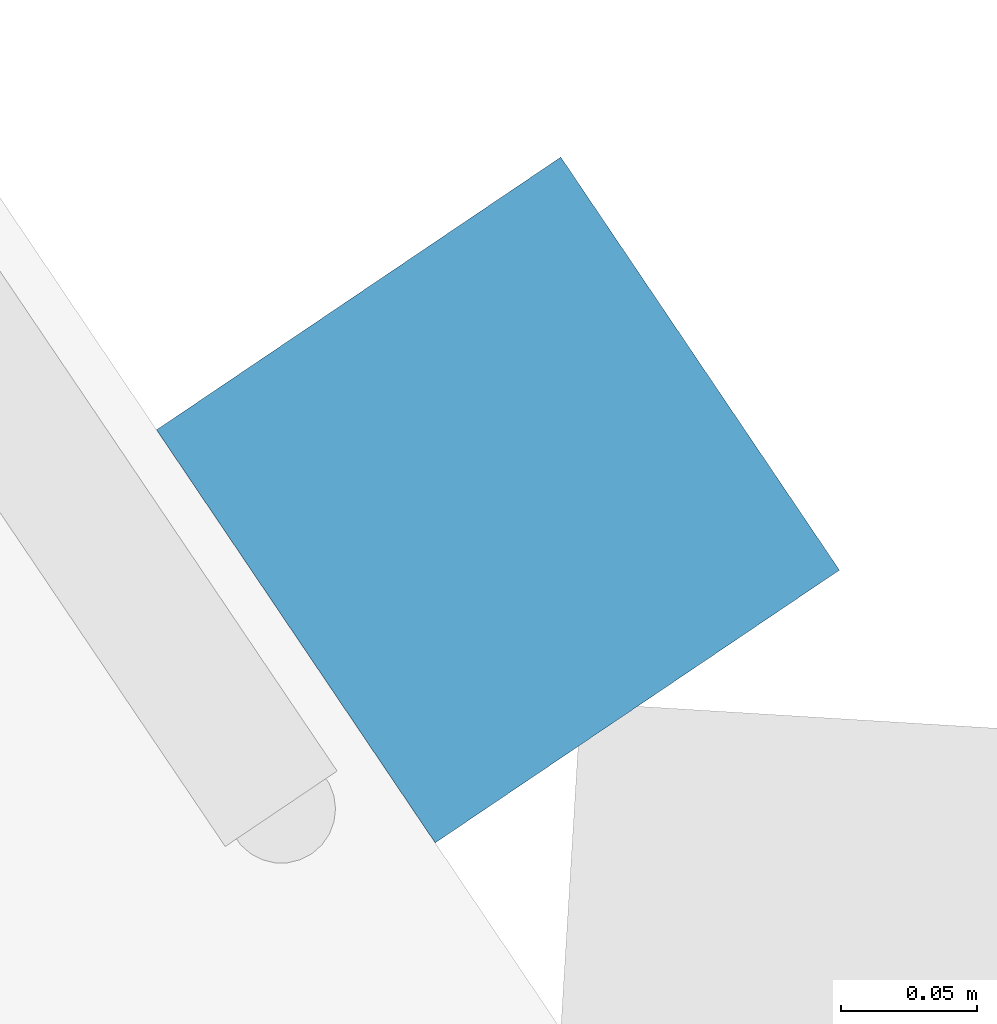
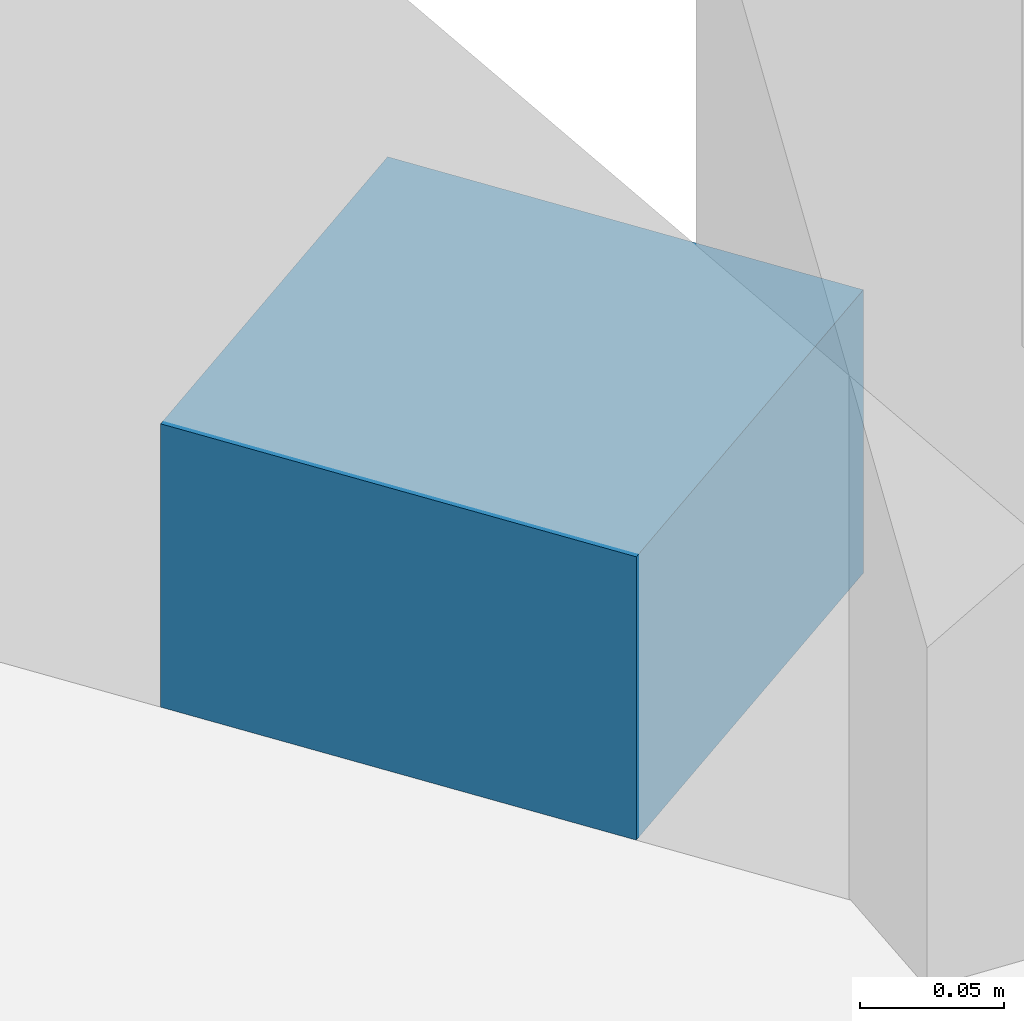
# One storey, part 15 of 34: 1 member, 1 element without a shape of its own.
"""IFC4 building model written with IfcOpenShell, lengths in metres."""

from ifc_helpers import new_model, si_unit, direction, frame, origin, origin_2d, place, context, subcontext, project, spatial, rectangle, extrude, material, material_profile, profile_set, type_object, element, aggregate, save


model = new_model("IFC4")

# Units and contexts
model_context = context("Model", 3, precision=1e-05, world=origin(), true_north=direction((0.0, 1.0)))
body_context = subcontext(model_context, "Body", "Model", "MODEL_VIEW")
ifc_project = project(units=[si_unit("LENGTHUNIT", "METRE"), si_unit("AREAUNIT", "SQUARE_METRE"), si_unit("VOLUMEUNIT", "CUBIC_METRE"), si_unit("PLANEANGLEUNIT", "RADIAN"), si_unit("MASSUNIT", "GRAM", prefix="KILO")], contexts=[model_context])

# Site, building, storey
site_placement = place(None, origin())
site = spatial("IfcSite", under=ifc_project, at=site_placement, CompositionType="ELEMENT")
building_placement = place(site_placement, origin())
building = spatial("IfcBuilding", under=site, at=building_placement, Name="Orlundy Tower", CompositionType="ELEMENT")
storey_placement = place(building_placement, frame((0.0, 0.0, 145.60009765625)))
storey = spatial("IfcBuildingStorey", under=building, at=storey_placement, Name="L37", CompositionType="ELEMENT", Elevation=145.60009765625)

# Curtain wall, member
ifc_material_1 = material(Name="Aluminium bronze anodised", Category="aluminium")
curtain_wall_type = type_object("IfcCurtainWallType", Name="CW1 wall", PredefinedType="NOTDEFINED", material=ifc_material_1)
curtain_wall_placement = place(storey_placement, origin())
curtain_wall = element("IfcCurtainWall", 1, at=curtain_wall_placement, inside=storey, type_object=curtain_wall_type, Name="CW1 run 017", PredefinedType="NOTDEFINED")
ifc_material_2 = material(Name="Aluminium bronze anodised", Category="aluminium")
ifc_material_profile = material_profile(ifc_material_2, rectangle(XDim=0.179931640625, YDim=0.1201171875, at=origin_2d()), Name="CW1 transom 180x120")
ifc_profile_set = profile_set([ifc_material_profile], Name="Aluminium bronze anodised")
member_type = type_object("IfcMemberType", Name="CW1 transom 180x120", PredefinedType="USERDEFINED", material=ifc_profile_set)
member_placement = place(storey_placement, frame((23.530517578125, 18.924560546875, -0.340087890625), z_axis=(0.559290310831, -0.828971862134, 0.0), x_axis=(0.828971862134, 0.559290310831, 0.0)))
member = element("IfcMember", 2, at=member_placement, type_object=member_type, Name="CW1 transom", ObjectType="TRANSOM", PredefinedType="USERDEFINED", context=body_context, shape_type="SweptSolid", body=[
    extrude(rectangle(XDim=0.179931640625, YDim=0.1201171875, at=origin_2d()), origin(), (0.0, 0.0, 1.0), 0.183837890625),
])
aggregate(curtain_wall, [member])

save(model, "model.ifc")
